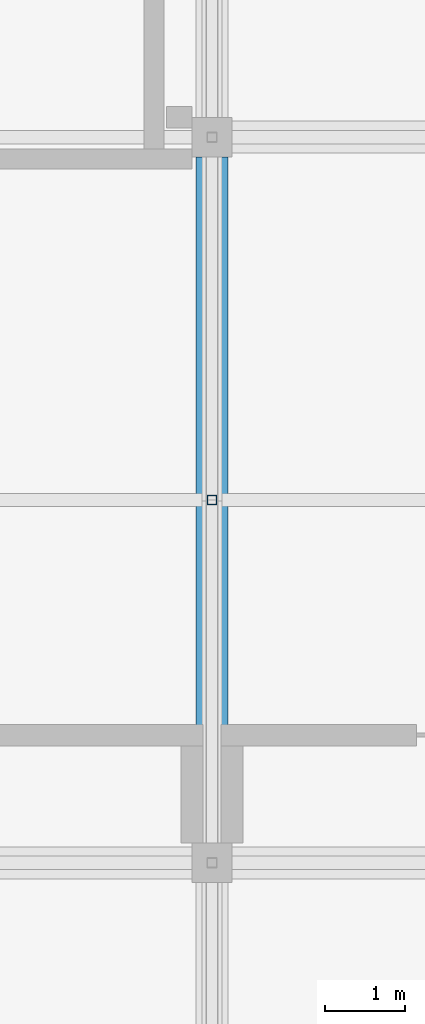
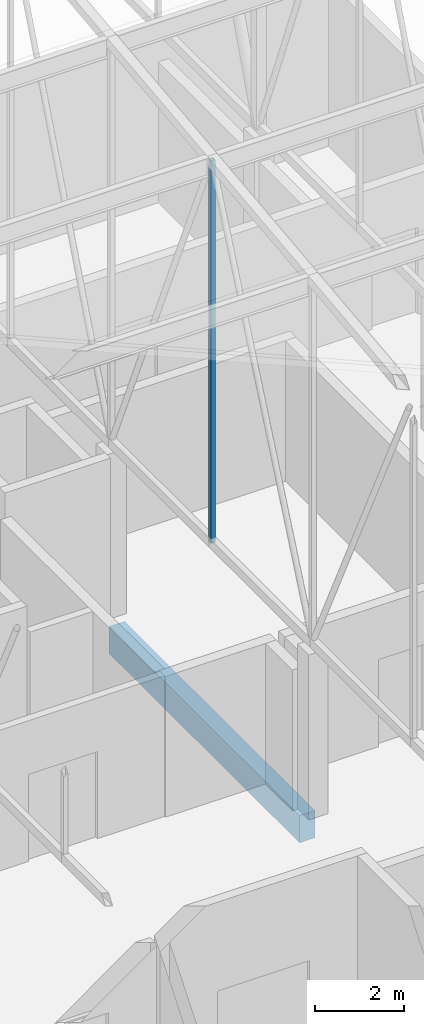
# One storey, part 41 of 500: 1 beam, 1 member.
"""IFC4 building model written with IfcOpenShell, lengths in metres."""

from ifc_helpers import new_model, si_unit, direction, frame, origin, origin_2d, place, context, subcontext, project, spatial, rectangle, hollow_rectangle, extrude, material, material_profile, profile_set, type_object, element, save


model = new_model("IFC4")

# Units and contexts
model_context = context("Model", 3, precision=1e-05, world=origin(), true_north=direction((0.0, 1.0)))
body_context = subcontext(model_context, "Body", "Model", "MODEL_VIEW")
ifc_project = project(units=[si_unit("LENGTHUNIT", "METRE"), si_unit("AREAUNIT", "SQUARE_METRE"), si_unit("VOLUMEUNIT", "CUBIC_METRE"), si_unit("PLANEANGLEUNIT", "RADIAN"), si_unit("MASSUNIT", "GRAM", prefix="KILO")], contexts=[model_context])

# Site, building, storey
site_placement = place(None, origin())
site = spatial("IfcSite", under=ifc_project, at=site_placement, CompositionType="ELEMENT")
building_placement = place(site_placement, origin())
building = spatial("IfcBuilding", under=site, at=building_placement, Name="Shirokan Park Arena", CompositionType="ELEMENT")
storey_placement = place(building_placement, frame((0.0, 0.0, 29.1201171875)))
storey = spatial("IfcBuildingStorey", under=building, at=storey_placement, Name="L06", CompositionType="ELEMENT", Elevation=29.1201171875)

# Beam
ifc_material_1 = material(Name="Concrete C35", Category="concrete")
ifc_material_profile_1 = material_profile(ifc_material_1, rectangle(XDim=0.39990234375, YDim=0.75, at=origin_2d()), Name="400x750")
ifc_profile_set_1 = profile_set([ifc_material_profile_1], Name="Concrete C35")
beam_type = type_object("IfcBeamType", Name="RC girder 400x750", PredefinedType="BEAM", material=ifc_profile_set_1)
beam_placement = place(storey_placement, frame((27.300048828125, 18.4501953125, -0.5751953125), z_axis=(0.0, 1.0, 0.0), x_axis=(-1.0, 0.0, 0.0)))
element("IfcBeam", 1, at=beam_placement, inside=storey, type_object=beam_type, Name="Girder 4C-4D L06", PredefinedType="BEAM", context=body_context, shape_type="SweptSolid", body=[
    extrude(rectangle(XDim=0.39990234375, YDim=0.75, at=origin_2d()), origin(), (0.0, 0.0, 1.0), 8.599609375),
])

# Member
ifc_material_2 = material(Name="Steel ASTM A500 Grade C", Category="steel")
ifc_material_profile_2 = material_profile(ifc_material_2, hollow_rectangle(XDim=0.114013671875, YDim=0.114013671875, WallThickness=0.00634765625, at=origin_2d()), Name="HSS114.3X114.3X6.4")
ifc_profile_set_2 = profile_set([ifc_material_profile_2], Name="Steel ASTM A500 Grade C")
member_type = type_object("IfcMemberType", Name="Truss post HSS114.3X114.3X6.4", PredefinedType="POST", material=ifc_profile_set_2)
member_placement = place(storey_placement, frame((27.300048828125, 22.75, 4.677001953125), z_axis=(0.0, 0.0, 1.0), x_axis=(1.0, 0.0, 0.0)))
element("IfcMember", 2, at=member_placement, inside=storey, type_object=member_type, Name="Truss T04 post 8", PredefinedType="POST", context=body_context, shape_type="SweptSolid", body=[
    extrude(hollow_rectangle(XDim=0.114013671875, YDim=0.114013671875, WallThickness=0.00634765625, at=origin_2d()), origin(), (0.0, 0.0, 1.0), 10.5458984375),
])

save(model, "model.ifc")
